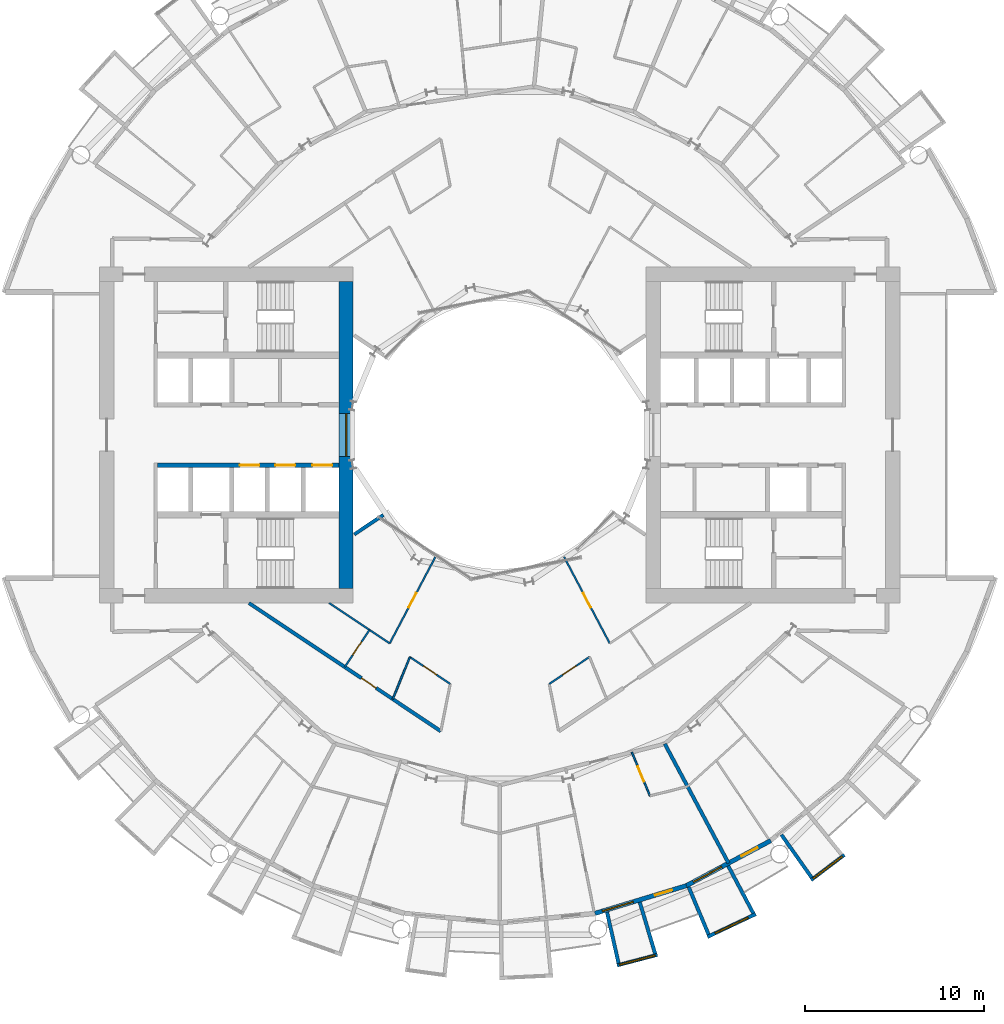
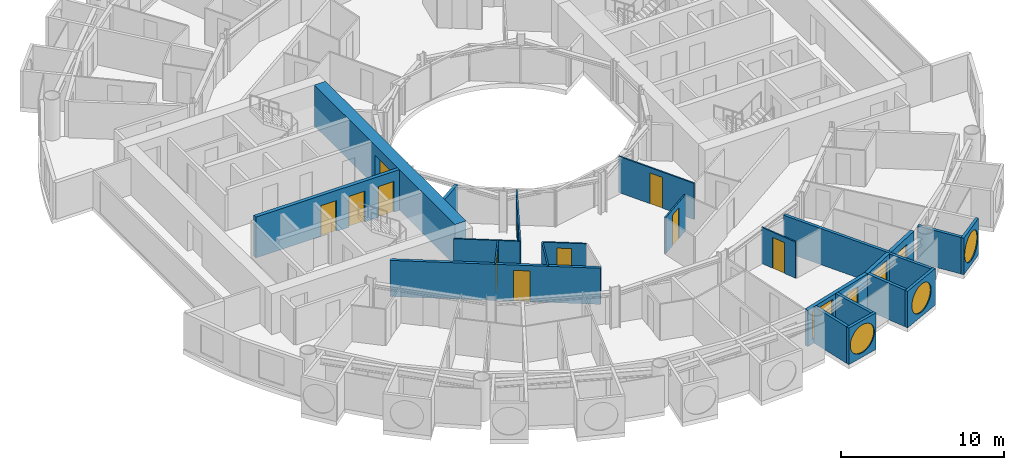
# One storey, part 15 of 26: 23 walls, 12 doors, 6 windows, 18 openings.
"""IFC4 building model written with IfcOpenShell, lengths in metres."""

from ifc_helpers import new_model, si_unit, direction, frame, frame_2d, origin, place, context, subcontext, project, spatial, rectangle, circle, extrude, material, layer, layer_set, type_object, element, fill, save


model = new_model("IFC4")

# Units and contexts
model_context = context("Model", 3, precision=1e-05, world=origin(), true_north=direction((0.0, 1.0)))
body_context = subcontext(model_context, "Body", "Model", "MODEL_VIEW")
ifc_project = project(units=[si_unit("LENGTHUNIT", "METRE"), si_unit("AREAUNIT", "SQUARE_METRE"), si_unit("VOLUMEUNIT", "CUBIC_METRE"), si_unit("PLANEANGLEUNIT", "RADIAN"), si_unit("MASSUNIT", "GRAM", prefix="KILO")], contexts=[model_context])

# Site, building, storey
site_placement = place(None, origin())
site = spatial("IfcSite", under=ifc_project, at=site_placement, CompositionType="ELEMENT")
building_placement = place(site_placement, origin())
building = spatial("IfcBuilding", under=site, at=building_placement, Name="Maasbend Ring Residences", CompositionType="ELEMENT")
storey_placement = place(building_placement, frame((0.0, 0.0, 28.89990234375)))
storey = spatial("IfcBuildingStorey", under=building, at=storey_placement, Name="L07", CompositionType="ELEMENT", Elevation=28.89990234375)

# Wall, openings, doors
ifc_material_1 = material(Name="Concrete C70/85", Category="concrete")
ifc_layer_1 = layer(ifc_material_1, 0.25)
ifc_layer_set_1 = layer_set([ifc_layer_1], Name="Concrete C70/85")
wall_type_1 = type_object("IfcWallType", Name="CORE WALL 250 C70/85", PredefinedType="SHEAR", material=ifc_layer_set_1)
wall_1_placement = place(storey_placement, frame((-9.0, -1.699951171875, 0.0), z_axis=(0.0, 0.0, 1.0), x_axis=(-1.0, 0.0, 0.0)))
wall_1 = element("IfcWall", 1, at=wall_1_placement, inside=storey, type_object=wall_type_1, Name="L07 core W wall SPN", PredefinedType="SHEAR", context=body_context, shape_type="SweptSolid", body=[
    extrude(rectangle(XDim=10.14990234375, YDim=0.25, at=frame_2d((5.074951171875, 0.0))), origin(), (0.0, 0.0, 1.0), 3.050048828125),
])
opening_1_placement = place(wall_1_placement, frame((0.387451171875, 0.0, 0.0)))
opening_1 = element("IfcOpeningElement", 2, at=opening_1_placement, cuts=wall_1, Name="Opening LD-W0701", PredefinedType="OPENING", context=body_context, shape_type="SweptSolid", body=[
    extrude(rectangle(XDim=1.10009765625, YDim=2.300048828125, at=frame_2d((0.550048828125, 1.14990234375))), frame((0.0, 0.135009765625, 0.0), z_axis=(0.0, -1.0, 0.0), x_axis=(1.0, 0.0, 0.0)), (0.0, 0.0, 1.0), 0.27001953125),
])
opening_2_placement = place(wall_1_placement, frame((2.449951171875, 0.0, 0.0)))
opening_2 = element("IfcOpeningElement", 3, at=opening_2_placement, cuts=wall_1, Name="Opening LD-W0702", PredefinedType="OPENING", context=body_context, shape_type="SweptSolid", body=[
    extrude(rectangle(XDim=1.10009765625, YDim=2.300048828125, at=frame_2d((0.550048828125, 1.14990234375))), frame((0.0, 0.135009765625, 0.0), z_axis=(0.0, -1.0, 0.0), x_axis=(1.0, 0.0, 0.0)), (0.0, 0.0, 1.0), 0.27001953125),
])
opening_3_placement = place(wall_1_placement, frame((4.449951171875, 0.0, 0.0)))
opening_3 = element("IfcOpeningElement", 4, at=opening_3_placement, cuts=wall_1, Name="Opening LD-W0703", PredefinedType="OPENING", context=body_context, shape_type="SweptSolid", body=[
    extrude(rectangle(XDim=1.10009765625, YDim=2.300048828125, at=frame_2d((0.550048828125, 1.14990234375))), frame((0.0, 0.135009765625, 0.0), z_axis=(0.0, -1.0, 0.0), x_axis=(1.0, 0.0, 0.0)), (0.0, 0.0, 1.0), 0.27001953125),
])
ifc_material_2 = material(Name="Stainless steel 316", Category="steel")
door_type_1 = type_object("IfcDoorType", Name="LANDING DOOR 1100 X 2300 FD60", OperationType="DOUBLE_DOOR_SLIDING", PredefinedType="DOOR", material=ifc_material_2)
door_1_placement = place(opening_1_placement, origin())
door_1 = element("IfcDoor", 5, at=door_1_placement, inside=storey, type_object=door_type_1, Name="Landing door LR-W1 L07", OperationType="DOUBLE_DOOR_SLIDING", OverallHeight=2.300048828125, OverallWidth=1.10009765625, PredefinedType="DOOR", context=body_context, shape_type="SweptSolid", body=[
    extrude(rectangle(XDim=1.10009765625, YDim=2.300048828125, at=frame_2d((0.550048828125, 1.14990234375))), frame((0.0, 0.02490234375, 0.0), z_axis=(0.0, -1.0, 0.0), x_axis=(1.0, 0.0, 0.0)), (0.0, 0.0, 1.0), 0.050048828125),
])
fill(opening_1, door_1)
door_2_placement = place(opening_2_placement, origin())
door_2 = element("IfcDoor", 6, at=door_2_placement, inside=storey, type_object=door_type_1, Name="Landing door LR-W2 L07", OperationType="DOUBLE_DOOR_SLIDING", OverallHeight=2.300048828125, OverallWidth=1.10009765625, PredefinedType="DOOR", context=body_context, shape_type="SweptSolid", body=[
    extrude(rectangle(XDim=1.10009765625, YDim=2.300048828125, at=frame_2d((0.550048828125, 1.14990234375))), frame((0.0, 0.02490234375, 0.0), z_axis=(0.0, -1.0, 0.0), x_axis=(1.0, 0.0, 0.0)), (0.0, 0.0, 1.0), 0.050048828125),
])
fill(opening_2, door_2)
door_3_placement = place(opening_3_placement, origin())
door_3 = element("IfcDoor", 7, at=door_3_placement, inside=storey, type_object=door_type_1, Name="Landing door LR-W3 L07", OperationType="DOUBLE_DOOR_SLIDING", OverallHeight=2.300048828125, OverallWidth=1.10009765625, PredefinedType="DOOR", context=body_context, shape_type="SweptSolid", body=[
    extrude(rectangle(XDim=1.10009765625, YDim=2.300048828125, at=frame_2d((0.550048828125, 1.14990234375))), frame((0.0, 0.02490234375, 0.0), z_axis=(0.0, -1.0, 0.0), x_axis=(1.0, 0.0, 0.0)), (0.0, 0.0, 1.0), 0.050048828125),
])
fill(opening_3, door_3)

# Wall, opening, window
ifc_material_3 = material(Name="Concrete C70/85", Category="concrete")
ifc_layer_2 = layer(ifc_material_3, 0.800048828125)
ifc_layer_set_2 = layer_set([ifc_layer_2], Name="Concrete C70/85")
wall_type_2 = type_object("IfcWallType", Name="CORE WALL 800 C70/85", PredefinedType="SHEAR", material=ifc_layer_set_2)
wall_2_placement = place(storey_placement, frame((-8.60009765625, 8.60009765625, 0.0), z_axis=(0.0, 0.0, 1.0), x_axis=(0.0, -1.0, 0.0)))
wall_2 = element("IfcWall", 8, at=wall_2_placement, inside=storey, type_object=wall_type_2, Name="L07 core W wall PIN", PredefinedType="SHEAR", context=body_context, shape_type="SweptSolid", body=[
    extrude(rectangle(XDim=17.2001953125, YDim=0.800048828125, at=frame_2d((8.60009765625, 0.0))), origin(), (0.0, 0.0, 1.0), 3.050048828125),
])
opening_4_placement = place(wall_2_placement, frame((7.39990234375, 0.0, 0.10009765625)))
opening_4 = element("IfcOpeningElement", 9, at=opening_4_placement, cuts=wall_2, Name="Opening W-W0701", PredefinedType="OPENING", context=body_context, shape_type="SweptSolid", body=[
    extrude(rectangle(XDim=2.39990234375, YDim=2.199951171875, at=frame_2d((1.199951171875, 1.10009765625))), frame((0.0, 0.41015625, 0.0), z_axis=(0.0, -1.0, 0.0), x_axis=(1.0, 0.0, 0.0)), (0.0, 0.0, 1.0), 0.820068359375),
])
ifc_material_4 = material(Name="Aluminium frame and clear glass", Category="aluminium")
window_type_1 = type_object("IfcWindowType", Name="FIXED WINDOW 2400 X 2200", PartitioningType="SINGLE_PANEL", PredefinedType="WINDOW", material=ifc_material_4)
window_1_placement = place(opening_4_placement, origin())
window_1 = element("IfcWindow", 10, at=window_1_placement, inside=storey, type_object=window_type_1, Name="Lobby window L07", OverallHeight=2.199951171875, OverallWidth=2.39990234375, PartitioningType="SINGLE_PANEL", PredefinedType="WINDOW", context=body_context, shape_type="SweptSolid", body=[
    extrude(rectangle(XDim=2.39990234375, YDim=2.199951171875, at=frame_2d((1.199951171875, 1.10009765625))), frame((0.0, 0.030029296875, 0.0), z_axis=(0.0, -1.0, 0.0), x_axis=(1.0, 0.0, 0.0)), (0.0, 0.0, 1.0), 0.06005859375),
])
fill(opening_4, window_1)

# Wall, opening, door
ifc_material_5 = material(Name="Concrete C30/37", Category="concrete")
ifc_layer_3 = layer(ifc_material_5, 0.199951171875)
ifc_layer_set_3 = layer_set([ifc_layer_3], Name="Concrete C30/37")
wall_type_3 = type_object("IfcWallType", Name="CORRIDOR WALL 200 CONCRETE", PredefinedType="PARTITIONING", material=ifc_layer_set_3)
wall_3_placement = place(storey_placement, frame((-14.035888671875, -9.402099609375, 0.0), z_axis=(0.0, 0.0, 1.0), x_axis=(0.831561346449, -0.555432918625, 0.0)))
wall_3 = element("IfcWall", 11, at=wall_3_placement, inside=storey, type_object=wall_type_3, Name="U-L07-w015", PredefinedType="PARTITIONING", context=body_context, shape_type="SweptSolid", body=[
    extrude(rectangle(XDim=12.9140625, YDim=0.199951171875, at=frame_2d((6.45703125, 0.0))), origin(), (0.0, 0.0, 1.0), 2.7001953125),
])
opening_5_placement = place(wall_3_placement, frame((7.56591796875, 0.0, 0.0)))
opening_5 = element("IfcOpeningElement", 12, at=opening_5_placement, cuts=wall_3, Name="Opening D-0749", PredefinedType="OPENING", context=body_context, shape_type="SweptSolid", body=[
    extrude(rectangle(XDim=1.0, YDim=2.300048828125, at=frame_2d((0.5, 1.14990234375))), frame((0.0, 0.10986328125, 0.0), z_axis=(0.0, -1.0, 0.0), x_axis=(1.0, 0.0, 0.0)), (0.0, 0.0, 1.0), 0.219970703125),
])
ifc_material_6 = material(Name="Timber, fire-rated, painted", Category="wood")
door_type_2 = type_object("IfcDoorType", Name="FLAT ENTRANCE DOOR 1000 X 2300 FIRE-RATED", OperationType="NOTDEFINED", PredefinedType="DOOR", material=ifc_material_6)
door_4_placement = place(opening_5_placement, origin())
door_4 = element("IfcDoor", 13, at=door_4_placement, inside=storey, type_object=door_type_2, Name="D-0749", OperationType="SINGLE_SWING_RIGHT", OverallHeight=2.300048828125, OverallWidth=1.0, PredefinedType="DOOR", context=body_context, shape_type="SweptSolid", body=[
    extrude(rectangle(XDim=1.0, YDim=2.300048828125, at=frame_2d((0.5, 1.14990234375))), frame((0.0, 0.02490234375, 0.0), z_axis=(0.0, -1.0, 0.0), x_axis=(1.0, 0.0, 0.0)), (0.0, 0.0, 1.0), 0.050048828125),
])
fill(opening_5, door_4)

# Wall, opening, window
ifc_material_7 = material(Name="Pale anodised aluminium panel", Category="aluminium")
ifc_layer_4 = layer(ifc_material_7, 0.199951171875)
ifc_layer_set_4 = layer_set([ifc_layer_4], Name="EW-BOX")
wall_type_4 = type_object("IfcWallType", Name="EW-BOX", PredefinedType="SOLIDWALL", material=ifc_layer_set_4)
wall_4_placement = place(storey_placement, frame((6.568115234375, -29.681884765625, -0.02978515625), z_axis=(0.0, 0.0, 1.0), x_axis=(0.967377102346, 0.253340762326, 0.0)))
wall_4 = element("IfcWall", 14, at=wall_4_placement, inside=storey, type_object=wall_type_4, Name="Box front S13", PredefinedType="SOLIDWALL", context=body_context, shape_type="SweptSolid", body=[
    extrude(rectangle(XDim=2.3359375, YDim=0.199951171875, at=frame_2d((1.16796875, 0.0))), origin(), (0.0, 0.0, 1.0), 2.72998046875),
])
opening_6_placement = place(wall_4_placement, frame((0.128173828125, 0.0, 0.330078125)))
opening_6 = element("IfcOpeningElement", 15, at=opening_6_placement, cuts=wall_4, Name="Opening W-RD", PredefinedType="OPENING", context=body_context, shape_type="SweptSolid", body=[
    extrude(circle(Radius=1.0400390625, at=frame_2d((1.0400390625, 1.0400390625))), frame((0.0, 0.10986328125, 0.0), z_axis=(0.0, -1.0, 0.0), x_axis=(1.0, 0.0, 0.0)), (0.0, 0.0, 1.0), 0.219970703125),
])
ifc_material_8 = material(Name="Aluminium and clear glass", Category="aluminium")
window_type_2 = type_object("IfcWindowType", Name="W-RD", PartitioningType="SINGLE_PANEL", PredefinedType="WINDOW", material=ifc_material_8)
window_2_placement = place(opening_6_placement, origin())
window_2 = element("IfcWindow", 16, at=window_2_placement, inside=storey, type_object=window_type_2, Name="Round window S13", OverallHeight=2.080078125, OverallWidth=2.080078125, PartitioningType="SINGLE_PANEL", PredefinedType="WINDOW", context=body_context, shape_type="SweptSolid", body=[
    extrude(circle(Radius=1.0400390625, at=frame_2d((1.0400390625, 1.0400390625))), frame((0.0, 0.030029296875, 0.0), z_axis=(0.0, -1.0, 0.0), x_axis=(1.0, 0.0, 0.0)), (0.0, 0.0, 1.0), 0.06005859375),
])
fill(opening_6, window_2)

# Walls
wall_5_placement = place(storey_placement, frame((6.00390625, -26.699951171875, -0.02978515625), z_axis=(0.0, 0.0, 1.0), x_axis=(0.219609259383, -0.975587911566, 0.0)))
element("IfcWall", 17, at=wall_5_placement, inside=storey, type_object=wall_type_4, Name="Box side wall S13 left", PredefinedType="SOLIDWALL", context=body_context, shape_type="SweptSolid", body=[
    extrude(rectangle(XDim=2.9326171875, YDim=0.199951171875, at=frame_2d((1.46630859375, 0.0))), origin(), (0.0, 0.0, 1.0), 2.72998046875),
])
wall_6_placement = place(storey_placement, frame((7.8369140625, -26.14404296875, -0.02978515625), z_axis=(0.0, 0.0, 1.0), x_axis=(0.287064767992, -0.957911174889, 0.0)))
element("IfcWall", 18, at=wall_6_placement, inside=storey, type_object=wall_type_4, Name="Box side wall S13 right", PredefinedType="SOLIDWALL", context=body_context, shape_type="SweptSolid", body=[
    extrude(rectangle(XDim=3.00634765625, YDim=0.199951171875, at=frame_2d((1.503173828125, 0.0))), origin(), (0.0, 0.0, 1.0), 2.72998046875),
])

# Wall, opening, window
wall_7_placement = place(storey_placement, frame((11.62890625, -28.087890625, -0.02978515625), z_axis=(0.0, 0.0, 1.0), x_axis=(0.904000060331, 0.427532327342, 0.0)))
wall_7 = element("IfcWall", 19, at=wall_7_placement, inside=storey, type_object=wall_type_4, Name="Box front S15", PredefinedType="SOLIDWALL", context=body_context, shape_type="SweptSolid", body=[
    extrude(rectangle(XDim=2.993408203125, YDim=0.199951171875, at=frame_2d((1.49658203125, 0.0))), origin(), (0.0, 0.0, 1.0), 2.72998046875),
])
opening_7_placement = place(wall_7_placement, frame((0.45654296875, 0.0, 0.330078125)))
opening_7 = element("IfcOpeningElement", 20, at=opening_7_placement, cuts=wall_7, Name="Opening W-RD", PredefinedType="OPENING", context=body_context, shape_type="SweptSolid", body=[
    extrude(circle(Radius=1.0400390625, at=frame_2d((1.0400390625, 1.0400390625))), frame((0.0, 0.10986328125, 0.0), z_axis=(0.0, -1.0, 0.0), x_axis=(1.0, 0.0, 0.0)), (0.0, 0.0, 1.0), 0.219970703125),
])
window_3_placement = place(opening_7_placement, origin())
window_3 = element("IfcWindow", 21, at=window_3_placement, inside=storey, type_object=window_type_2, Name="Round window S15", OverallHeight=2.080078125, OverallWidth=2.080078125, PartitioningType="SINGLE_PANEL", PredefinedType="WINDOW", context=body_context, shape_type="SweptSolid", body=[
    extrude(circle(Radius=1.0400390625, at=frame_2d((1.0400390625, 1.0400390625))), frame((0.0, 0.030029296875, 0.0), z_axis=(0.0, -1.0, 0.0), x_axis=(1.0, 0.0, 0.0)), (0.0, 0.0, 1.0), 0.06005859375),
])
fill(opening_7, window_3)

# Walls
wall_8_placement = place(storey_placement, frame((10.574951171875, -25.294921875, -0.02978515625), z_axis=(0.0, 0.0, 1.0), x_axis=(0.385697364644, -0.922625353492, 0.0)))
element("IfcWall", 22, at=wall_8_placement, inside=storey, type_object=wall_type_4, Name="Box side wall S15 left", PredefinedType="SOLIDWALL", context=body_context, shape_type="SweptSolid", body=[
    extrude(rectangle(XDim=2.88330078125, YDim=0.199951171875, at=frame_2d((1.441650390625, 0.0))), origin(), (0.0, 0.0, 1.0), 2.72998046875),
])
wall_9_placement = place(storey_placement, frame((12.787109375, -24.113037109375, -0.02978515625), z_axis=(0.0, 0.0, 1.0), x_axis=(0.468365282436, -0.883534924159, 0.0)))
element("IfcWall", 23, at=wall_9_placement, inside=storey, type_object=wall_type_4, Name="Box side wall S15 right", PredefinedType="SOLIDWALL", context=body_context, shape_type="SweptSolid", body=[
    extrude(rectangle(XDim=3.006103515625, YDim=0.199951171875, at=frame_2d((1.5029296875, 0.0))), origin(), (0.0, 0.0, 1.0), 2.72998046875),
])

# Wall, opening, window
wall_10_placement = place(storey_placement, frame((17.427001953125, -24.908935546875, -0.02978515625), z_axis=(0.0, 0.0, 1.0), x_axis=(0.796842165306, 0.60418752353, 0.0)))
wall_10 = element("IfcWall", 24, at=wall_10_placement, inside=storey, type_object=wall_type_4, Name="Box front S17", PredefinedType="SOLIDWALL", context=body_context, shape_type="SweptSolid", body=[
    extrude(rectangle(XDim=2.3369140625, YDim=0.199951171875, at=frame_2d((1.16845703125, 0.0))), origin(), (0.0, 0.0, 1.0), 2.72998046875),
])
opening_8_placement = place(wall_10_placement, frame((0.128173828125, 0.0, 0.330078125)))
opening_8 = element("IfcOpeningElement", 25, at=opening_8_placement, cuts=wall_10, Name="Opening W-RD", PredefinedType="OPENING", context=body_context, shape_type="SweptSolid", body=[
    extrude(circle(Radius=1.0400390625, at=frame_2d((1.0400390625, 1.0400390625))), frame((0.0, 0.10986328125, 0.0), z_axis=(0.0, -1.0, 0.0), x_axis=(1.0, 0.0, 0.0)), (0.0, 0.0, 1.0), 0.219970703125),
])
window_4_placement = place(opening_8_placement, origin())
window_4 = element("IfcWindow", 26, at=window_4_placement, inside=storey, type_object=window_type_2, Name="Round window S17", OverallHeight=2.080078125, OverallWidth=2.080078125, PartitioningType="SINGLE_PANEL", PredefinedType="WINDOW", context=body_context, shape_type="SweptSolid", body=[
    extrude(circle(Radius=1.0400390625, at=frame_2d((1.0400390625, 1.0400390625))), frame((0.0, 0.030029296875, 0.0), z_axis=(0.0, -1.0, 0.0), x_axis=(1.0, 0.0, 0.0)), (0.0, 0.0, 1.0), 0.06005859375),
])
fill(opening_8, window_4)

# Wall
wall_11_placement = place(storey_placement, frame((15.764892578125, -22.3701171875, -0.02978515625), z_axis=(0.0, 0.0, 1.0), x_axis=(0.576274612209, -0.817256123454, 0.0)))
element("IfcWall", 27, at=wall_11_placement, inside=storey, type_object=wall_type_4, Name="Box side wall S17 left", PredefinedType="SOLIDWALL", context=body_context, shape_type="SweptSolid", body=[
    extrude(rectangle(XDim=2.932861328125, YDim=0.199951171875, at=frame_2d((1.46630859375, 0.0))), origin(), (0.0, 0.0, 1.0), 2.72998046875),
])

# Wall, openings, door, window
ifc_material_9 = material(Name="Aluminium clad insulated panel", Category="aluminium")
ifc_layer_5 = layer(ifc_material_9, 0.25)
ifc_layer_set_5 = layer_set([ifc_layer_5], Name="EW-GL")
wall_type_5 = type_object("IfcWallType", Name="EW-GL", PredefinedType="SOLIDWALL", material=ifc_layer_set_5)
wall_12_placement = place(storey_placement, frame((5.325927734375, -26.77490234375, 0.0), z_axis=(0.0, 0.0, 1.0), x_axis=(0.956965678721, 0.290201119486, 0.0)))
wall_12 = element("IfcWall", 28, at=wall_12_placement, inside=storey, type_object=wall_type_5, Name="External wall S07", PredefinedType="SOLIDWALL", context=body_context, shape_type="SweptSolid", body=[
    extrude(rectangle(XDim=5.351318359375, YDim=0.25, at=frame_2d((2.67578125, 0.0))), origin(), (0.0, 0.0, 1.0), 2.7001953125),
])
opening_9_placement = place(wall_12_placement, frame((0.441162109375, 0.0, 0.300048828125)))
opening_9 = element("IfcOpeningElement", 29, at=opening_9_placement, cuts=wall_12, Name="Opening W-BX", PredefinedType="OPENING", context=body_context, shape_type="SweptSolid", body=[
    extrude(rectangle(XDim=1.800048828125, YDim=2.10009765625, at=frame_2d((0.89990234375, 1.050048828125))), frame((0.0, 0.135009765625, 0.0), z_axis=(0.0, -1.0, 0.0), x_axis=(1.0, 0.0, 0.0)), (0.0, 0.0, 1.0), 0.27001953125),
])
opening_10_placement = place(wall_12_placement, frame((3.510498046875, 0.0, 0.0)))
opening_10 = element("IfcOpeningElement", 30, at=opening_10_placement, cuts=wall_12, Name="Opening D-LG", PredefinedType="OPENING", context=body_context, shape_type="SweptSolid", body=[
    extrude(rectangle(XDim=1.0, YDim=2.199951171875, at=frame_2d((0.5, 1.10009765625))), frame((0.0, 0.135009765625, 0.0), z_axis=(0.0, -1.0, 0.0), x_axis=(1.0, 0.0, 0.0)), (0.0, 0.0, 1.0), 0.27001953125),
])
ifc_material_10 = material(Name="Aluminium and clear glass", Category="aluminium")
door_type_3 = type_object("IfcDoorType", Name="D-LG", OperationType="SINGLE_SWING_LEFT", PredefinedType="DOOR", material=ifc_material_10)
door_5_placement = place(opening_10_placement, origin())
door_5 = element("IfcDoor", 31, at=door_5_placement, inside=storey, type_object=door_type_3, Name="Loggia door S14", OperationType="SINGLE_SWING_LEFT", OverallHeight=2.199951171875, OverallWidth=1.0, PredefinedType="DOOR", context=body_context, shape_type="SweptSolid", body=[
    extrude(rectangle(XDim=1.0, YDim=2.199951171875, at=frame_2d((0.5, 1.10009765625))), frame((0.0, 0.02490234375, 0.0), z_axis=(0.0, -1.0, 0.0), x_axis=(1.0, 0.0, 0.0)), (0.0, 0.0, 1.0), 0.050048828125),
])
fill(opening_10, door_5)
ifc_material_11 = material(Name="Aluminium and clear glass", Category="aluminium")
window_type_3 = type_object("IfcWindowType", Name="W-BX", PartitioningType="DOUBLE_PANEL_VERTICAL", PredefinedType="WINDOW", material=ifc_material_11)
window_5_placement = place(opening_9_placement, origin())
window_5 = element("IfcWindow", 32, at=window_5_placement, inside=storey, type_object=window_type_3, Name="Window S13 room to box", OverallHeight=2.10009765625, OverallWidth=1.800048828125, PartitioningType="SINGLE_PANEL", PredefinedType="WINDOW", context=body_context, shape_type="SweptSolid", body=[
    extrude(rectangle(XDim=1.800048828125, YDim=2.10009765625, at=frame_2d((0.89990234375, 1.050048828125))), frame((0.0, 0.030029296875, 0.0), z_axis=(0.0, -1.0, 0.0), x_axis=(1.0, 0.0, 0.0)), (0.0, 0.0, 1.0), 0.06005859375),
])
fill(opening_9, window_5)

wall_13_placement = place(storey_placement, frame((10.447021484375, -25.221923828125, 0.0), z_axis=(0.0, 0.0, 1.0), x_axis=(0.881915646801, 0.471407246368, 0.0)))
wall_13 = element("IfcWall", 33, at=wall_13_placement, inside=storey, type_object=wall_type_5, Name="External wall S08", PredefinedType="SOLIDWALL", context=body_context, shape_type="SweptSolid", body=[
    extrude(rectangle(XDim=5.35205078125, YDim=0.25, at=frame_2d((2.676025390625, 0.0))), origin(), (0.0, 0.0, 1.0), 2.7001953125),
])
opening_11_placement = place(wall_13_placement, frame((0.441162109375, 0.0, 0.300048828125)))
opening_11 = element("IfcOpeningElement", 34, at=opening_11_placement, cuts=wall_13, Name="Opening W-BX", PredefinedType="OPENING", context=body_context, shape_type="SweptSolid", body=[
    extrude(rectangle(XDim=1.800048828125, YDim=2.10009765625, at=frame_2d((0.89990234375, 1.050048828125))), frame((0.0, 0.135009765625, 0.0), z_axis=(0.0, -1.0, 0.0), x_axis=(1.0, 0.0, 0.0)), (0.0, 0.0, 1.0), 0.27001953125),
])
opening_12_placement = place(wall_13_placement, frame((3.510498046875, 0.0, 0.0)))
opening_12 = element("IfcOpeningElement", 35, at=opening_12_placement, cuts=wall_13, Name="Opening D-LG", PredefinedType="OPENING", context=body_context, shape_type="SweptSolid", body=[
    extrude(rectangle(XDim=1.0, YDim=2.199951171875, at=frame_2d((0.5, 1.10009765625))), frame((0.0, 0.135009765625, 0.0), z_axis=(0.0, -1.0, 0.0), x_axis=(1.0, 0.0, 0.0)), (0.0, 0.0, 1.0), 0.27001953125),
])
door_6_placement = place(opening_12_placement, origin())
door_6 = element("IfcDoor", 36, at=door_6_placement, inside=storey, type_object=door_type_3, Name="Loggia door S16", OperationType="SINGLE_SWING_LEFT", OverallHeight=2.199951171875, OverallWidth=1.0, PredefinedType="DOOR", context=body_context, shape_type="SweptSolid", body=[
    extrude(rectangle(XDim=1.0, YDim=2.199951171875, at=frame_2d((0.5, 1.10009765625))), frame((0.0, 0.02490234375, 0.0), z_axis=(0.0, -1.0, 0.0), x_axis=(1.0, 0.0, 0.0)), (0.0, 0.0, 1.0), 0.050048828125),
])
fill(opening_12, door_6)
window_6_placement = place(opening_11_placement, origin())
window_6 = element("IfcWindow", 37, at=window_6_placement, inside=storey, type_object=window_type_3, Name="Window S15 room to box", OverallHeight=2.10009765625, OverallWidth=1.800048828125, PartitioningType="SINGLE_PANEL", PredefinedType="WINDOW", context=body_context, shape_type="SweptSolid", body=[
    extrude(rectangle(XDim=1.800048828125, YDim=2.10009765625, at=frame_2d((0.89990234375, 1.050048828125))), frame((0.0, 0.030029296875, 0.0), z_axis=(0.0, -1.0, 0.0), x_axis=(1.0, 0.0, 0.0)), (0.0, 0.0, 1.0), 0.06005859375),
])
fill(opening_11, window_6)

# Wall
ifc_material_12 = material(Name="Gypsum board on steel studs", Category="steel")
ifc_layer_6 = layer(ifc_material_12, 0.10009765625)
ifc_layer_set_6 = layer_set([ifc_layer_6], Name="PARTITION 100 GYPSUM")
wall_type_6 = type_object("IfcWallType", Name="PARTITION 100 GYPSUM", PredefinedType="PARTITIONING", material=ifc_layer_set_6)
wall_14_placement = place(storey_placement, frame((-9.544921875, -9.40087890625, 0.0), z_axis=(0.0, 0.0, 1.0), x_axis=(0.831459707426, -0.555585056429, 0.0)))
element("IfcWall", 38, at=wall_14_placement, inside=storey, type_object=wall_type_6, Name="U-L07-w017", PredefinedType="PARTITIONING", context=body_context, shape_type="SweptSolid", body=[
    extrude(rectangle(XDim=4.073486328125, YDim=0.10009765625, at=frame_2d((2.03662109375, 0.0))), origin(), (0.0, 0.0, 1.0), 2.7001953125),
])

# Wall, opening, door
wall_15_placement = place(storey_placement, frame((-5.029052734375, -12.41796875, 0.0), z_axis=(0.0, 0.0, 1.0), x_axis=(0.831538390496, -0.555467285384, 0.0)))
wall_15 = element("IfcWall", 39, at=wall_15_placement, inside=storey, type_object=wall_type_6, Name="U-L07-w018", PredefinedType="PARTITIONING", context=body_context, shape_type="SweptSolid", body=[
    extrude(rectangle(XDim=2.716796875, YDim=0.10009765625, at=frame_2d((1.3583984375, 0.0))), origin(), (0.0, 0.0, 1.0), 2.7001953125),
])
opening_13_placement = place(wall_15_placement, frame((0.907958984375, 0.0, 0.0)))
opening_13 = element("IfcOpeningElement", 40, at=opening_13_placement, cuts=wall_15, Name="Opening D-0750", PredefinedType="OPENING", context=body_context, shape_type="SweptSolid", body=[
    extrude(rectangle(XDim=0.89990234375, YDim=2.300048828125, at=frame_2d((0.449951171875, 1.14990234375))), frame((0.0, 0.06005859375, 0.0), z_axis=(0.0, -1.0, 0.0), x_axis=(1.0, 0.0, 0.0)), (0.0, 0.0, 1.0), 0.1201171875),
])
ifc_material_13 = material(Name="Timber, painted", Category="wood")
door_type_4 = type_object("IfcDoorType", Name="INTERNAL DOOR 900 X 2300", OperationType="NOTDEFINED", PredefinedType="DOOR", material=ifc_material_13)
door_7_placement = place(opening_13_placement, origin())
door_7 = element("IfcDoor", 41, at=door_7_placement, inside=storey, type_object=door_type_4, Name="D-0750", OperationType="SINGLE_SWING_LEFT", OverallHeight=2.300048828125, OverallWidth=0.89990234375, PredefinedType="DOOR", context=body_context, shape_type="SweptSolid", body=[
    extrude(rectangle(XDim=0.89990234375, YDim=2.300048828125, at=frame_2d((0.449951171875, 1.14990234375))), frame((0.0, 0.02490234375, 0.0), z_axis=(0.0, -1.0, 0.0), x_axis=(1.0, 0.0, 0.0)), (0.0, 0.0, 1.0), 0.050048828125),
])
fill(opening_13, door_7)

wall_16_placement = place(storey_placement, frame((2.77001953125, -13.927001953125, 0.0), z_axis=(0.0, 0.0, 1.0), x_axis=(0.831538390496, 0.555467285384, 0.0)))
wall_16 = element("IfcWall", 42, at=wall_16_placement, inside=storey, type_object=wall_type_6, Name="U-L07-w019", PredefinedType="PARTITIONING", context=body_context, shape_type="SweptSolid", body=[
    extrude(rectangle(XDim=2.716796875, YDim=0.10009765625, at=frame_2d((1.3583984375, 0.0))), origin(), (0.0, 0.0, 1.0), 2.7001953125),
])
opening_14_placement = place(wall_16_placement, frame((0.907958984375, 0.0, 0.0)))
opening_14 = element("IfcOpeningElement", 43, at=opening_14_placement, cuts=wall_16, Name="Opening D-0754", PredefinedType="OPENING", context=body_context, shape_type="SweptSolid", body=[
    extrude(rectangle(XDim=0.89990234375, YDim=2.300048828125, at=frame_2d((0.449951171875, 1.14990234375))), frame((0.0, 0.06005859375, 0.0), z_axis=(0.0, -1.0, 0.0), x_axis=(1.0, 0.0, 0.0)), (0.0, 0.0, 1.0), 0.1201171875),
])
door_8_placement = place(opening_14_placement, origin())
door_8 = element("IfcDoor", 44, at=door_8_placement, inside=storey, type_object=door_type_4, Name="D-0754", OperationType="SINGLE_SWING_RIGHT", OverallHeight=2.300048828125, OverallWidth=0.89990234375, PredefinedType="DOOR", context=body_context, shape_type="SweptSolid", body=[
    extrude(rectangle(XDim=0.89990234375, YDim=2.300048828125, at=frame_2d((0.449951171875, 1.14990234375))), frame((0.0, 0.02490234375, 0.0), z_axis=(0.0, -1.0, 0.0), x_axis=(1.0, 0.0, 0.0)), (0.0, 0.0, 1.0), 0.050048828125),
])
fill(opening_14, door_8)

wall_17_placement = place(storey_placement, frame((-8.675048828125, -12.98193359375, 0.0), z_axis=(0.0, 0.0, 1.0), x_axis=(0.555625883274, 0.831432425297, 0.0)))
wall_17 = element("IfcWall", 45, at=wall_17_placement, inside=storey, type_object=wall_type_6, Name="U-L07-w038", PredefinedType="PARTITIONING", context=body_context, shape_type="SweptSolid", body=[
    extrude(rectangle(XDim=2.494384765625, YDim=0.10009765625, at=frame_2d((1.2470703125, 0.0))), origin(), (0.0, 0.0, 1.0), 2.7001953125),
])
opening_15_placement = place(wall_17_placement, frame((0.798095703125, 0.0, 0.0)))
opening_15 = element("IfcOpeningElement", 46, at=opening_15_placement, cuts=wall_17, Name="Opening D-0751", PredefinedType="OPENING", context=body_context, shape_type="SweptSolid", body=[
    extrude(rectangle(XDim=0.89990234375, YDim=2.300048828125, at=frame_2d((0.449951171875, 1.14990234375))), frame((0.0, 0.06005859375, 0.0), z_axis=(0.0, -1.0, 0.0), x_axis=(1.0, 0.0, 0.0)), (0.0, 0.0, 1.0), 0.1201171875),
])
door_9_placement = place(opening_15_placement, origin())
door_9 = element("IfcDoor", 47, at=door_9_placement, inside=storey, type_object=door_type_4, Name="D-0751", OperationType="SINGLE_SWING_RIGHT", OverallHeight=2.300048828125, OverallWidth=0.89990234375, PredefinedType="DOOR", context=body_context, shape_type="SweptSolid", body=[
    extrude(rectangle(XDim=0.89990234375, YDim=2.300048828125, at=frame_2d((0.449951171875, 1.14990234375))), frame((0.0, 0.02490234375, 0.0), z_axis=(0.0, -1.0, 0.0), x_axis=(1.0, 0.0, 0.0)), (0.0, 0.0, 1.0), 0.050048828125),
])
fill(opening_15, door_9)

wall_18_placement = place(storey_placement, frame((-6.158935546875, -11.6630859375, 0.0), z_axis=(0.0, 0.0, 1.0), x_axis=(0.466976820365, 0.884269556889, 0.0)))
wall_18 = element("IfcWall", 48, at=wall_18_placement, inside=storey, type_object=wall_type_6, Name="U-L07-w043", PredefinedType="PARTITIONING", context=body_context, shape_type="SweptSolid", body=[
    extrude(rectangle(XDim=5.46923828125, YDim=0.10009765625, at=frame_2d((2.734619140625, 0.0))), origin(), (0.0, 0.0, 1.0), 2.7001953125),
])
opening_16_placement = place(wall_18_placement, frame((2.283935546875, 0.0, 0.0)))
opening_16 = element("IfcOpeningElement", 49, at=opening_16_placement, cuts=wall_18, Name="Opening D-0752", PredefinedType="OPENING", context=body_context, shape_type="SweptSolid", body=[
    extrude(rectangle(XDim=0.89990234375, YDim=2.300048828125, at=frame_2d((0.449951171875, 1.14990234375))), frame((0.0, 0.06005859375, 0.0), z_axis=(0.0, -1.0, 0.0), x_axis=(1.0, 0.0, 0.0)), (0.0, 0.0, 1.0), 0.1201171875),
])
door_10_placement = place(opening_16_placement, origin())
door_10 = element("IfcDoor", 50, at=door_10_placement, inside=storey, type_object=door_type_4, Name="D-0752", OperationType="SINGLE_SWING_LEFT", OverallHeight=2.300048828125, OverallWidth=0.89990234375, PredefinedType="DOOR", context=body_context, shape_type="SweptSolid", body=[
    extrude(rectangle(XDim=0.89990234375, YDim=2.300048828125, at=frame_2d((0.449951171875, 1.14990234375))), frame((0.0, 0.02490234375, 0.0), z_axis=(0.0, -1.0, 0.0), x_axis=(1.0, 0.0, 0.0)), (0.0, 0.0, 1.0), 0.050048828125),
])
fill(opening_16, door_10)

# Wall
wall_19_placement = place(storey_placement, frame((-5.986083984375, -14.779052734375, 0.0), z_axis=(0.0, 0.0, 1.0), x_axis=(0.375649498413, 0.926761811008, 0.0)))
element("IfcWall", 51, at=wall_19_placement, inside=storey, type_object=wall_type_6, Name="U-L07-w044", PredefinedType="PARTITIONING", context=body_context, shape_type="SweptSolid", body=[
    extrude(rectangle(XDim=2.547607421875, YDim=0.10009765625, at=frame_2d((1.27392578125, 0.0))), origin(), (0.0, 0.0, 1.0), 2.7001953125),
])

# Wall, opening, door
wall_20_placement = place(storey_placement, frame((3.60498046875, -6.826904296875, 0.0), z_axis=(0.0, 0.0, 1.0), x_axis=(0.466976820365, -0.884269556889, 0.0)))
wall_20 = element("IfcWall", 52, at=wall_20_placement, inside=storey, type_object=wall_type_6, Name="U-L07-w052", PredefinedType="PARTITIONING", context=body_context, shape_type="SweptSolid", body=[
    extrude(rectangle(XDim=5.46923828125, YDim=0.10009765625, at=frame_2d((2.734619140625, 0.0))), origin(), (0.0, 0.0, 1.0), 2.7001953125),
])
opening_17_placement = place(wall_20_placement, frame((2.283935546875, 0.0, 0.0)))
opening_17 = element("IfcOpeningElement", 53, at=opening_17_placement, cuts=wall_20, Name="Opening D-0756", PredefinedType="OPENING", context=body_context, shape_type="SweptSolid", body=[
    extrude(rectangle(XDim=0.89990234375, YDim=2.300048828125, at=frame_2d((0.449951171875, 1.14990234375))), frame((0.0, 0.06005859375, 0.0), z_axis=(0.0, -1.0, 0.0), x_axis=(1.0, 0.0, 0.0)), (0.0, 0.0, 1.0), 0.1201171875),
])
door_11_placement = place(opening_17_placement, origin())
door_11 = element("IfcDoor", 54, at=door_11_placement, inside=storey, type_object=door_type_4, Name="D-0756", OperationType="SINGLE_SWING_RIGHT", OverallHeight=2.300048828125, OverallWidth=0.89990234375, PredefinedType="DOOR", context=body_context, shape_type="SweptSolid", body=[
    extrude(rectangle(XDim=0.89990234375, YDim=2.300048828125, at=frame_2d((0.449951171875, 1.14990234375))), frame((0.0, 0.02490234375, 0.0), z_axis=(0.0, -1.0, 0.0), x_axis=(1.0, 0.0, 0.0)), (0.0, 0.0, 1.0), 0.050048828125),
])
fill(opening_17, door_11)

wall_21_placement = place(storey_placement, frame((7.39208984375, -17.7490234375, 0.0), z_axis=(0.0, 0.0, 1.0), x_axis=(0.384438589316, -0.923150567917, 0.0)))
wall_21 = element("IfcWall", 55, at=wall_21_placement, inside=storey, type_object=wall_type_6, Name="U-L07-w062", PredefinedType="PARTITIONING", context=body_context, shape_type="SweptSolid", body=[
    extrude(rectangle(XDim=2.6474609375, YDim=0.10009765625, at=frame_2d((1.32373046875, 0.0))), origin(), (0.0, 0.0, 1.0), 2.7001953125),
])
opening_18_placement = place(wall_21_placement, frame((0.8740234375, 0.0, 0.0)))
opening_18 = element("IfcOpeningElement", 56, at=opening_18_placement, cuts=wall_21, Name="Opening D-0740", PredefinedType="OPENING", context=body_context, shape_type="SweptSolid", body=[
    extrude(rectangle(XDim=0.89990234375, YDim=2.300048828125, at=frame_2d((0.449951171875, 1.14990234375))), frame((0.0, 0.06005859375, 0.0), z_axis=(0.0, -1.0, 0.0), x_axis=(1.0, 0.0, 0.0)), (0.0, 0.0, 1.0), 0.1201171875),
])
door_12_placement = place(opening_18_placement, origin())
door_12 = element("IfcDoor", 57, at=door_12_placement, inside=storey, type_object=door_type_4, Name="D-0740", OperationType="SINGLE_SWING_RIGHT", OverallHeight=2.300048828125, OverallWidth=0.89990234375, PredefinedType="DOOR", context=body_context, shape_type="SweptSolid", body=[
    extrude(rectangle(XDim=0.89990234375, YDim=2.300048828125, at=frame_2d((0.449951171875, 1.14990234375))), frame((0.0, 0.02490234375, 0.0), z_axis=(0.0, -1.0, 0.0), x_axis=(1.0, 0.0, 0.0)), (0.0, 0.0, 1.0), 0.050048828125),
])
fill(opening_18, door_12)

# Walls
ifc_material_14 = material(Name="Concrete C30/37", Category="concrete")
ifc_layer_7 = layer(ifc_material_14, 0.199951171875)
ifc_layer_set_7 = layer_set([ifc_layer_7], Name="Concrete C30/37")
wall_type_7 = type_object("IfcWallType", Name="PARTY WALL 200 CONCRETE", PredefinedType="PARTITIONING", material=ifc_layer_set_7)
wall_22_placement = place(storey_placement, frame((-6.512939453125, -4.471923828125, 0.0), z_axis=(0.0, 0.0, 1.0), x_axis=(-0.831417956244, -0.555647533996, 0.0)))
element("IfcWall", 58, at=wall_22_placement, inside=storey, type_object=wall_type_7, Name="U-L07-w023", PredefinedType="PARTITIONING", context=body_context, shape_type="SweptSolid", body=[
    extrude(rectangle(XDim=1.9619140625, YDim=0.199951171875, at=frame_2d((0.98095703125, 0.0))), origin(), (0.0, 0.0, 1.0), 2.7001953125),
])
wall_23_placement = place(storey_placement, frame((9.239013671875, -17.285888671875, 0.0), z_axis=(0.0, 0.0, 1.0), x_axis=(0.471439510802, -0.881898399848, 0.0)))
element("IfcWall", 59, at=wall_23_placement, inside=storey, type_object=wall_type_7, Name="U-L07-w064", PredefinedType="PARTITIONING", context=body_context, shape_type="SweptSolid", body=[
    extrude(rectangle(XDim=7.57470703125, YDim=0.199951171875, at=frame_2d((3.787353515625, 0.0))), origin(), (0.0, 0.0, 1.0), 2.7001953125),
])

save(model, "model.ifc")
